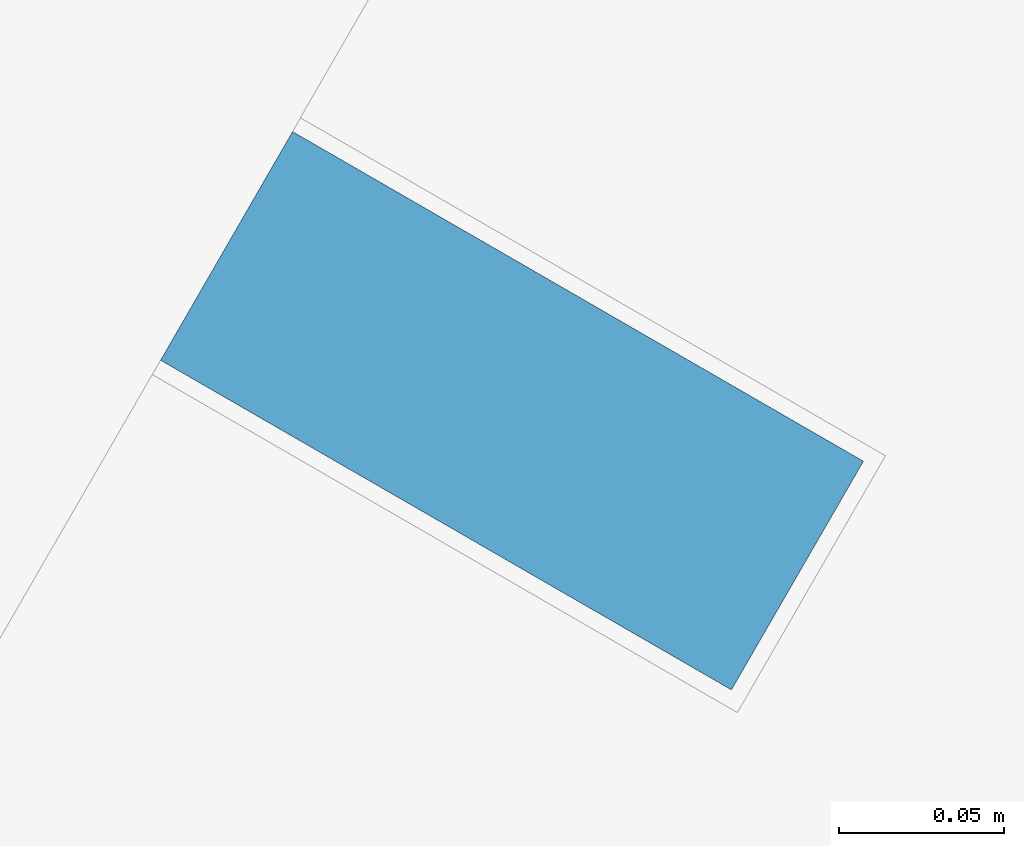
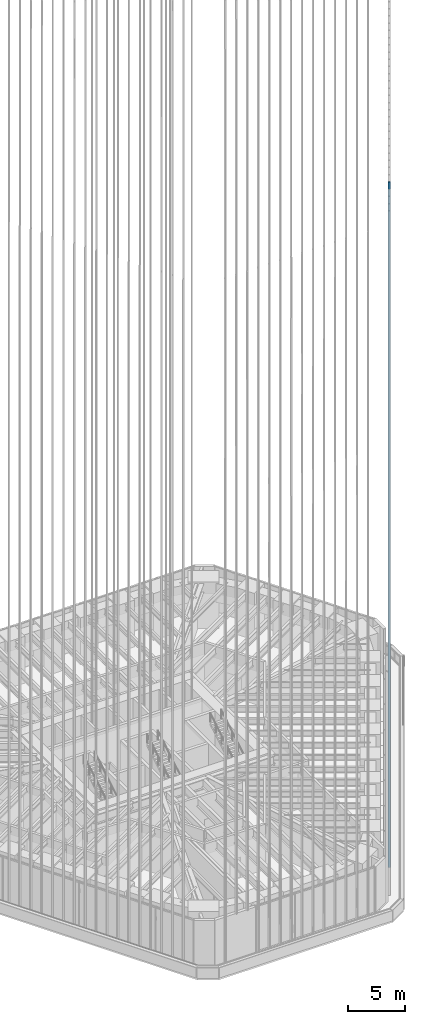
# One storey, part 84 of 228: 1 member, 1 element without a shape of its own.
"""IFC4 building model written with IfcOpenShell, lengths in metres."""

from ifc_helpers import new_model, si_unit, direction, frame, origin, origin_2d, place, context, subcontext, project, spatial, rectangle, extrude, material, material_profile, profile_set, type_object, element, aggregate, save


model = new_model("IFC4")

# Units and contexts
model_context = context("Model", 3, precision=1e-05, world=origin(), true_north=direction((0.0, 1.0)))
body_context = subcontext(model_context, "Body", "Model", "MODEL_VIEW")
ifc_project = project(units=[si_unit("LENGTHUNIT", "METRE"), si_unit("AREAUNIT", "SQUARE_METRE"), si_unit("VOLUMEUNIT", "CUBIC_METRE"), si_unit("PLANEANGLEUNIT", "RADIAN"), si_unit("MASSUNIT", "GRAM", prefix="KILO")], contexts=[model_context])

# Site, building, storey
site_placement = place(None, origin())
site = spatial("IfcSite", under=ifc_project, at=site_placement, CompositionType="ELEMENT")
building_placement = place(site_placement, origin())
building = spatial("IfcBuilding", under=site, at=building_placement, Name="Sandreach Pilgrim Tower", CompositionType="ELEMENT")
storey_placement = place(building_placement, frame((0.0, 0.0, 178.199951171875)))
storey = spatial("IfcBuildingStorey", under=building, at=storey_placement, Name="L44", CompositionType="ELEMENT", Elevation=178.199951171875)

# Curtain wall, member
ifc_material_1 = material(Name="Aluminium framed curtain wall", Category="aluminium")
curtain_wall_type = type_object("IfcCurtainWallType", Name="Upper hotel tower curtain wall", PredefinedType="NOTDEFINED", material=ifc_material_1)
curtain_wall_placement = place(storey_placement, origin())
curtain_wall = element("IfcCurtainWall", 1, at=curtain_wall_placement, inside=storey, type_object=curtain_wall_type, Name="CW-3 L44 SE", PredefinedType="NOTDEFINED")
ifc_material_2 = material(Name="Extruded terracotta on aluminium core", Category="masonry")
ifc_material_profile = material_profile(ifc_material_2, rectangle(XDim=0.080078125, YDim=0.199951171875, at=origin_2d()), Name="TBE 80X200")
ifc_profile_set = profile_set([ifc_material_profile], Name="Extruded terracotta on aluminium core")
member_type = type_object("IfcMemberType", Name="Terracotta baguette east", PredefinedType="USERDEFINED", material=ifc_profile_set)
member_placement = place(storey_placement, frame((12.614501953125, -21.271240234375, 0.0), z_axis=(0.0, 0.0, 1.0), x_axis=(-0.5, -0.866025403784, 0.0)))
member = element("IfcMember", 2, at=member_placement, type_object=member_type, Name="Baguette Z3 SE27", ObjectType="BAGUETTE", PredefinedType="USERDEFINED", context=body_context, shape_type="SweptSolid", body=[
    extrude(rectangle(XDim=0.080078125, YDim=0.199951171875, at=origin_2d()), origin(), (0.0, 0.0, 1.0), 73.239990234375),
])
aggregate(curtain_wall, [member])

save(model, "model.ifc")
